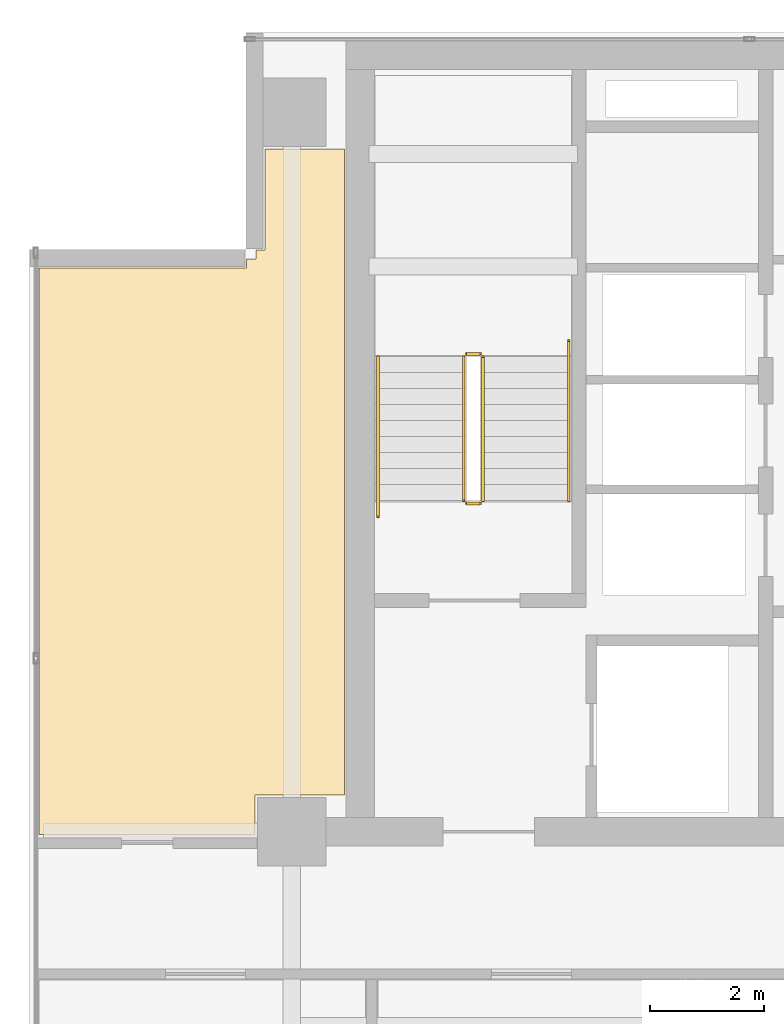
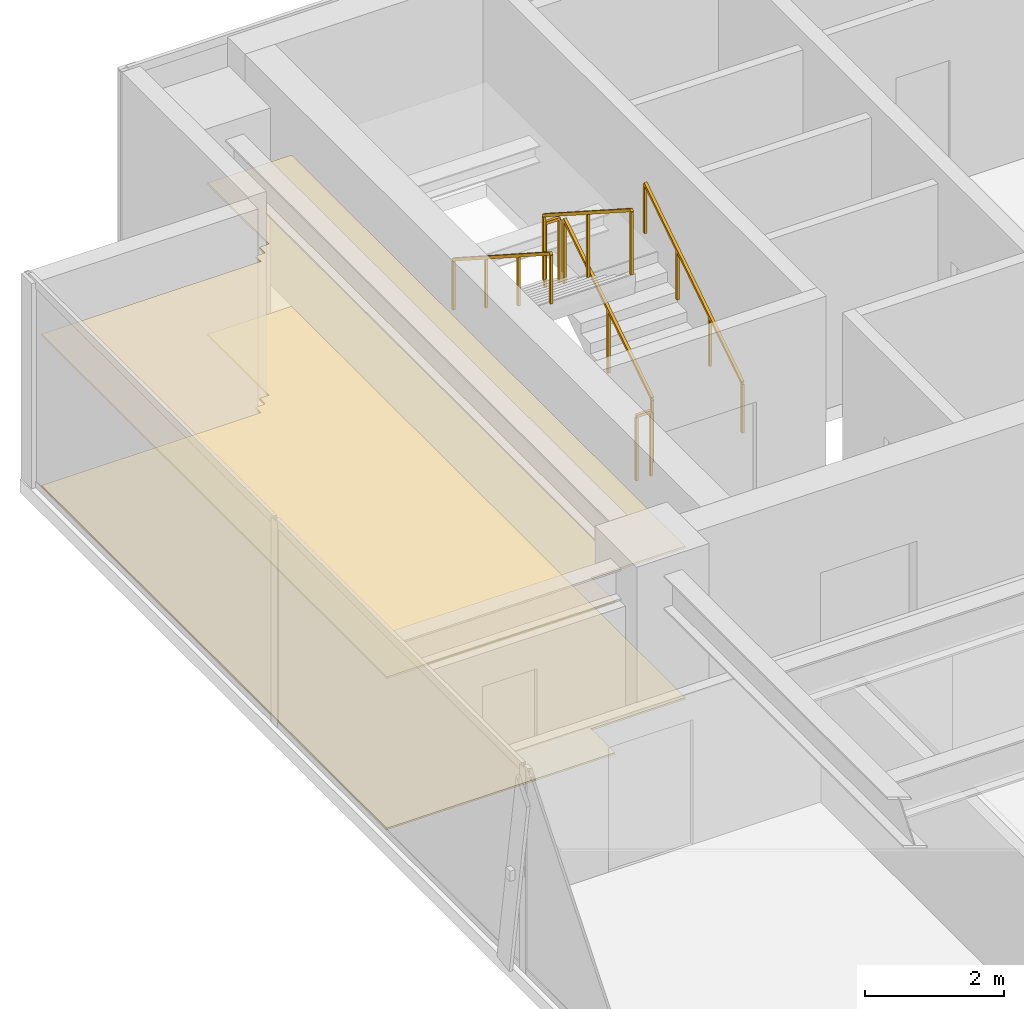
# One storey, part 19 of 21: 6 railings, 2 coverings.
"""IFC4 building model written with IfcOpenShell, lengths in metres."""

from ifc_helpers import new_model, si_unit, direction, frame, origin, origin_2d, place, context, subcontext, project, spatial, polyline, rectangle, outline, extrude, material, layer, layer_set, type_object, element, save


model = new_model("IFC4")

# Units and contexts
model_context = context("Model", 3, precision=1e-05, world=origin(), true_north=direction((0.0, 1.0)))
body_context = subcontext(model_context, "Body", "Model", "MODEL_VIEW")
ifc_project = project(units=[si_unit("LENGTHUNIT", "METRE"), si_unit("AREAUNIT", "SQUARE_METRE"), si_unit("VOLUMEUNIT", "CUBIC_METRE"), si_unit("PLANEANGLEUNIT", "RADIAN"), si_unit("MASSUNIT", "GRAM", prefix="KILO")], contexts=[model_context])

# Site, building, storey
site_placement = place(None, origin())
site = spatial("IfcSite", under=ifc_project, at=site_placement, CompositionType="ELEMENT")
building_placement = place(site_placement, origin())
building = spatial("IfcBuilding", under=site, at=building_placement, Name="Sumidabori Civic Tower", CompositionType="ELEMENT")
storey_placement = place(building_placement, frame((0.0, 0.0, 290.0)))
storey = spatial("IfcBuildingStorey", under=building, at=storey_placement, Name="L76", CompositionType="ELEMENT", Elevation=290.0)

# Coverings
ifc_material_1 = material(Name="Acoustic Mineral Gypsum Ceiling Tile")
ifc_layer_1 = layer(ifc_material_1, 0.034912109375, Name="Acoustic Mineral Gypsum Ceiling Tile")
ifc_layer_set_1 = layer_set([ifc_layer_1], Name="Acoustic Mineral Gypsum Ceiling Tile")
covering_type_1 = type_object("IfcCoveringType", Name="CV-CEIL-AC1", PredefinedType="CEILING", material=ifc_layer_set_1)
covering_1_placement = place(storey_placement, frame((0.0, 0.0, 2.64990234375)))
element("IfcCovering", 1, at=covering_1_placement, inside=storey, type_object=covering_type_1, Name="Room Acoustic Ceiling L76-01", PredefinedType="CEILING", context=body_context, shape_type="SweptSolid", body=[
    extrude(outline(polyline([(-17.592041015625, 20.22998046875), (-17.429931640625, 20.22998046875), (-17.429931640625, 20.39208984375), (-17.27197265625, 20.39208984375), (-17.27197265625, 22.159912109375), (-15.8779296875, 22.159912109375), (-15.8779296875, 10.840087890625), (-17.43994140625, 10.840087890625), (-17.43994140625, 10.14990234375), (-21.22998046875, 10.14990234375), (-21.22998046875, 20.072021484375), (-17.592041015625, 20.072021484375), (-17.592041015625, 20.22998046875)])), origin(), (0.0, 0.0, 1.0), 0.03515625),
])
ifc_material_2 = material(Name="Honed Terrazzo Tile Flooring")
ifc_layer_2 = layer(ifc_material_2, 0.030029296875, Name="Honed Terrazzo Tile Flooring")
ifc_layer_set_2 = layer_set([ifc_layer_2], Name="Honed Terrazzo Tile Flooring")
covering_type_2 = type_object("IfcCoveringType", Name="CV-FLR-TER", PredefinedType="FLOORING", material=ifc_layer_set_2)
covering_2_placement = place(storey_placement, origin())
element("IfcCovering", 2, at=covering_2_placement, inside=storey, type_object=covering_type_2, Name="Room Terrazzo Floor L76-01", PredefinedType="FLOORING", context=body_context, shape_type="SweptSolid", body=[
    extrude(outline(polyline([(-17.592041015625, 20.22998046875), (-17.429931640625, 20.22998046875), (-17.429931640625, 20.39208984375), (-17.27197265625, 20.39208984375), (-17.27197265625, 22.159912109375), (-15.8779296875, 22.159912109375), (-15.8779296875, 10.840087890625), (-17.43994140625, 10.840087890625), (-17.43994140625, 10.14990234375), (-21.22998046875, 10.14990234375), (-21.22998046875, 20.072021484375), (-17.592041015625, 20.072021484375), (-17.592041015625, 20.22998046875)])), origin(), (0.0, 0.0, 1.0), 0.030029296875),
])

# Railings
ifc_material_3 = material(Name="Stainless Steel Hairline Finish", Category="steel")
railing_type_1 = type_object("IfcRailingType", Name="RL-HANDRAIL", PredefinedType="HANDRAIL", material=ifc_material_3)
railing_1_placement = place(storey_placement, frame((-11.949951171875, 16.0, 0.179931640625)))
element("IfcRailing", 3, at=railing_1_placement, inside=storey, type_object=railing_type_1, Name="L76 ST-1 stair handrail 1", PredefinedType="HANDRAIL", context=body_context, shape_type="SweptSolid", body=[
    extrude(rectangle(XDim=0.048095703125, YDim=0.048095703125, at=origin_2d()), frame((0.0, 0.0, 0.8759765625), z_axis=(0.0, 0.84064222762, 0.54159084662), x_axis=(-1.0, 0.0, 0.0)), (0.0, 0.0, 1.0), 3.330810546875),
    extrude(rectangle(XDim=0.0419921875, YDim=0.0419921875, at=origin_2d()), origin(), (0.0, 0.0, 1.0), 0.851806640625),
    extrude(rectangle(XDim=0.0419921875, YDim=0.0419921875, at=origin_2d()), frame((0.0, 0.933349609375, 0.601318359375)), (0.0, 0.0, 1.0), 0.851806640625),
    extrude(rectangle(XDim=0.0419921875, YDim=0.0419921875, at=origin_2d()), frame((0.0, 1.86669921875, 1.20263671875)), (0.0, 0.0, 1.0), 0.851806640625),
    extrude(rectangle(XDim=0.0419921875, YDim=0.0419921875, at=origin_2d()), frame((0.0, 2.800048828125, 1.803955078125)), (0.0, 0.0, 1.0), 0.851806640625),
])
railing_2_placement = place(storey_placement, frame((-15.2900390625, 18.52001953125, 1.97998046875)))
element("IfcRailing", 4, at=railing_2_placement, inside=storey, type_object=railing_type_1, Name="L76 ST-1 stair handrail 2", PredefinedType="HANDRAIL", context=body_context, shape_type="SweptSolid", body=[
    extrude(rectangle(XDim=0.048095703125, YDim=0.048095703125, at=origin_2d()), frame((0.0, 0.0, 0.8759765625), z_axis=(0.0, -0.840675598268, 0.541539046124), x_axis=(1.0, 0.0, 0.0)), (0.0, 0.0, 1.0), 3.330810546875),
    extrude(rectangle(XDim=0.0419921875, YDim=0.0419921875, at=origin_2d()), origin(), (0.0, 0.0, 1.0), 0.851806640625),
    extrude(rectangle(XDim=0.0419921875, YDim=0.0419921875, at=origin_2d()), frame((0.0, -0.933349609375, 0.601318359375)), (0.0, 0.0, 1.0), 0.851806640625),
    extrude(rectangle(XDim=0.0419921875, YDim=0.0419921875, at=origin_2d()), frame((0.0, -1.86669921875, 1.202392578125)), (0.0, 0.0, 1.0), 0.851806640625),
    extrude(rectangle(XDim=0.0419921875, YDim=0.0419921875, at=origin_2d()), frame((0.0, -2.800048828125, 1.8037109375)), (0.0, 0.0, 1.0), 0.851806640625),
])
ifc_material_4 = material(Name="Steel SN490", Category="steel")
railing_type_2 = type_object("IfcRailingType", Name="RL-STAIR-GUARD", PredefinedType="GUARDRAIL", material=ifc_material_4)
railing_3_placement = place(storey_placement, frame((-13.449951171875, 16.0, 0.179931640625)))
element("IfcRailing", 5, at=railing_3_placement, inside=storey, type_object=railing_type_2, Name="L76 ST-1 stair guard 1", PredefinedType="GUARDRAIL", context=body_context, shape_type="SweptSolid", body=[
    extrude(rectangle(XDim=0.048095703125, YDim=0.048095703125, at=origin_2d()), frame((0.0, 0.0, 1.1259765625), z_axis=(0.0, 0.841162588446, 0.540782303519), x_axis=(-1.0, 0.0, 0.0)), (0.0, 0.0, 1.0), 2.995849609375),
    extrude(rectangle(XDim=0.0419921875, YDim=0.0419921875, at=origin_2d()), origin(), (0.0, 0.0, 1.0), 1.101806640625),
    extrude(rectangle(XDim=0.0419921875, YDim=0.0419921875, at=origin_2d()), frame((0.0, 1.260009765625, 0.81005859375)), (0.0, 0.0, 1.0), 1.101806640625),
    extrude(rectangle(XDim=0.0419921875, YDim=0.0419921875, at=origin_2d()), frame((0.0, 2.52001953125, 1.6201171875)), (0.0, 0.0, 1.0), 1.101806640625),
])
railing_4_placement = place(storey_placement, frame((-13.5, 18.570068359375, 1.800048828125)))
element("IfcRailing", 6, at=railing_4_placement, inside=storey, type_object=railing_type_2, Name="L76 ST-1 stair guard 2", PredefinedType="GUARDRAIL", context=body_context, shape_type="SweptSolid", body=[
    extrude(rectangle(XDim=0.048095703125, YDim=0.048095703125, at=origin_2d()), frame((0.0, 0.0, 1.1259765625), z_axis=(-1.0, 0.0, 0.0), x_axis=(0.0, -1.0, 0.0)), (0.0, 0.0, 1.0), 0.239990234375),
    extrude(rectangle(XDim=0.0419921875, YDim=0.0419921875, at=origin_2d()), origin(), (0.0, 0.0, 1.0), 1.101806640625),
    extrude(rectangle(XDim=0.0419921875, YDim=0.0419921875, at=origin_2d()), frame((-0.239990234375, 0.0, 0.0)), (0.0, 0.0, 1.0), 1.101806640625),
])
railing_5_placement = place(storey_placement, frame((-13.7900390625, 18.52001953125, 1.97998046875)))
element("IfcRailing", 7, at=railing_5_placement, inside=storey, type_object=railing_type_2, Name="L76 ST-1 stair guard 3", PredefinedType="GUARDRAIL", context=body_context, shape_type="SweptSolid", body=[
    extrude(rectangle(XDim=0.048095703125, YDim=0.048095703125, at=origin_2d()), frame((0.0, 0.0, 1.1259765625), z_axis=(0.0, -0.841162588446, 0.540782303519), x_axis=(1.0, 0.0, 0.0)), (0.0, 0.0, 1.0), 2.995849609375),
    extrude(rectangle(XDim=0.0419921875, YDim=0.0419921875, at=origin_2d()), origin(), (0.0, 0.0, 1.0), 1.101806640625),
    extrude(rectangle(XDim=0.0419921875, YDim=0.0419921875, at=origin_2d()), frame((0.0, -1.260009765625, 0.81005859375)), (0.0, 0.0, 1.0), 1.101806640625),
    extrude(rectangle(XDim=0.0419921875, YDim=0.0419921875, at=origin_2d()), frame((0.0, -2.52001953125, 1.6201171875)), (0.0, 0.0, 1.0), 1.101806640625),
])
railing_6_placement = place(storey_placement, frame((-13.5, 15.949951171875, 0.0)))
element("IfcRailing", 8, at=railing_6_placement, inside=storey, type_object=railing_type_2, Name="L76 ST-1 stair guard 4", PredefinedType="GUARDRAIL", context=body_context, shape_type="SweptSolid", body=[
    extrude(rectangle(XDim=0.048095703125, YDim=0.048095703125, at=origin_2d()), frame((0.0, 0.0, 1.1259765625), z_axis=(-1.0, 0.0, 0.0), x_axis=(0.0, -1.0, 0.0)), (0.0, 0.0, 1.0), 0.239990234375),
    extrude(rectangle(XDim=0.0419921875, YDim=0.0419921875, at=origin_2d()), origin(), (0.0, 0.0, 1.0), 1.101806640625),
    extrude(rectangle(XDim=0.0419921875, YDim=0.0419921875, at=origin_2d()), frame((-0.239990234375, 0.0, 0.0)), (0.0, 0.0, 1.0), 1.101806640625),
])

save(model, "model.ifc")
